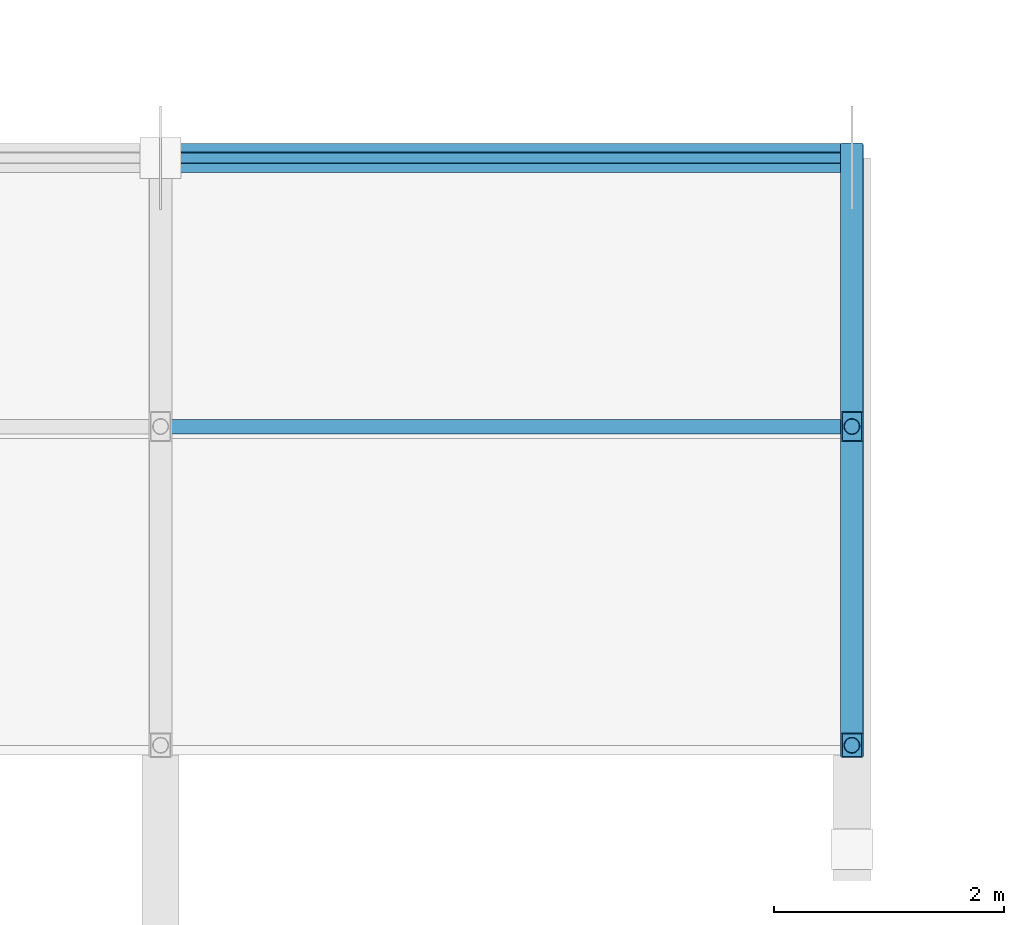
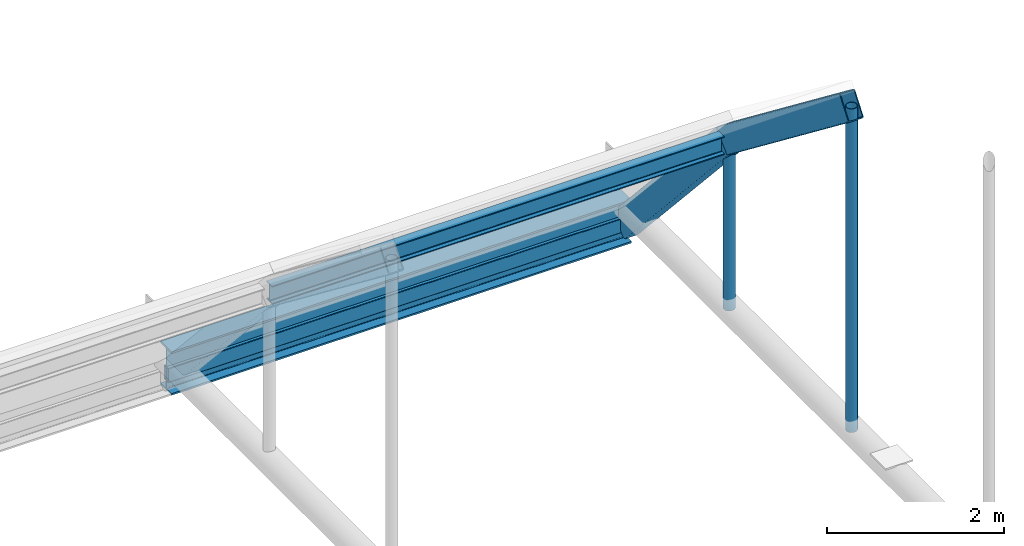
# One storey, part 61 of 116: 4 members, 3 beams.
"""IFC4 building model written with IfcOpenShell, lengths in metres."""

from ifc_helpers import new_model, si_unit, direction, frame, origin, origin_2d, place, context, subcontext, project, spatial, hollow_rectangle, hollow_circle, i_section, extrude, material, material_profile, profile_set, type_object, element, save


model = new_model("IFC4")

# Units and contexts
model_context = context("Model", 3, precision=1e-05, world=origin(), true_north=direction((0.0, 1.0)))
body_context = subcontext(model_context, "Body", "Model", "MODEL_VIEW")
ifc_project = project(units=[si_unit("LENGTHUNIT", "METRE"), si_unit("AREAUNIT", "SQUARE_METRE"), si_unit("VOLUMEUNIT", "CUBIC_METRE"), si_unit("PLANEANGLEUNIT", "RADIAN"), si_unit("MASSUNIT", "GRAM", prefix="KILO")], contexts=[model_context])

# Site, building, storey
site_placement = place(None, origin())
site = spatial("IfcSite", under=ifc_project, at=site_placement, CompositionType="ELEMENT")
building_placement = place(site_placement, origin())
building = spatial("IfcBuilding", under=site, at=building_placement, Name="Varnakota Square Police Headquarters", CompositionType="ELEMENT")
storey_placement = place(building_placement, frame((0.0, 0.0, 9.300048828125)))
storey = spatial("IfcBuildingStorey", under=building, at=storey_placement, Name="L02", CompositionType="ELEMENT", Elevation=9.300048828125)

# Beams
ifc_material = material(Name="Steel IS 2062 Grade 350", Category="steel")
ifc_material_profile_1 = material_profile(ifc_material, i_section(OverallWidth=0.25, OverallDepth=0.60009765625, WebThickness=0.01171875, FlangeThickness=0.023681640625, FilletRadius=0.01708984375, at=origin_2d()), Name="ISWB 600")
ifc_profile_set_1 = profile_set([ifc_material_profile_1], Name="Steel IS 2062 Grade 350")
beam_type_1 = type_object("IfcBeamType", Name="BM-ISWB600", PredefinedType="BEAM", material=ifc_profile_set_1)
beam_1_placement = place(storey_placement, frame((90.0, 39.0, -0.300048828125), z_axis=(1.0, 0.0, 0.0), x_axis=(0.0, 1.0, 0.0)))
element("IfcBeam", 1, at=beam_1_placement, inside=storey, type_object=beam_type_1, Name="Vault V1 north ring beam", PredefinedType="BEAM", context=body_context, shape_type="SweptSolid", body=[
    extrude(i_section(OverallWidth=0.25, OverallDepth=0.60009765625, WebThickness=0.01171875, FlangeThickness=0.023681640625, FilletRadius=0.01708984375, at=origin_2d()), origin(), (0.0, 0.0, 1.0), 6.0),
])
ifc_material_profile_2 = material_profile(ifc_material, hollow_rectangle(XDim=0.199951171875, YDim=0.35009765625, WallThickness=0.011962890625, InnerFilletRadius=0.011962890625, OuterFilletRadius=0.02392578125, at=origin_2d()), Name="RHS 350x200x12")
ifc_profile_set_2 = profile_set([ifc_material_profile_2], Name="Steel IS 2062 Grade 350")
beam_type_2 = type_object("IfcBeamType", Name="BM-VR-RHS350", PredefinedType="BEAM", material=ifc_profile_set_2)
beam_2_placement = place(storey_placement, frame((96.0, 33.902099609375, 4.313232421875), z_axis=(0.0, 0.792062306817, -0.610440252703), x_axis=(-1.0, 0.0, 0.0)))
element("IfcBeam", 2, at=beam_2_placement, inside=storey, type_object=beam_type_2, Name="Barrel vault arch rib chord VR-V1-R08-S09", PredefinedType="BEAM", context=body_context, shape_type="SweptSolid", body=[
    extrude(hollow_rectangle(XDim=0.199951171875, YDim=0.35009765625, WallThickness=0.011962890625, InnerFilletRadius=0.011962890625, OuterFilletRadius=0.02392578125, at=origin_2d()), origin(), (0.0, 0.0, 1.0), 3.4921875),
])
beam_3_placement = place(storey_placement, frame((96.0, 36.668212890625, 2.181396484375), z_axis=(0.0, 0.671520631111, -0.740985858159), x_axis=(-1.0, 0.0, 0.0)))
element("IfcBeam", 3, at=beam_3_placement, inside=storey, type_object=beam_type_2, Name="Barrel vault arch rib chord VR-V1-R08-S10", PredefinedType="BEAM", context=body_context, shape_type="SweptSolid", body=[
    extrude(hollow_rectangle(XDim=0.199951171875, YDim=0.35009765625, WallThickness=0.011962890625, InnerFilletRadius=0.011962890625, OuterFilletRadius=0.02392578125, at=origin_2d()), origin(), (0.0, 0.0, 1.0), 3.472412109375),
])

# Members
ifc_material_profile_3 = material_profile(ifc_material, hollow_circle(Radius=0.06982421875, WallThickness=0.006103515625, at=origin_2d()), Name="CHS 139.7x6.0")
ifc_profile_set_3 = profile_set([ifc_material_profile_3], Name="Steel IS 2062 Grade 350")
member_type_1 = type_object("IfcMemberType", Name="MEM-HNG-CHS139", PredefinedType="STRUT", material=ifc_profile_set_3)
member_1_placement = place(storey_placement, frame((96.0, 33.902099609375, -0.150146484375), z_axis=(0.0, 0.0, 1.0), x_axis=(1.0, 0.0, 0.0)))
element("IfcMember", 4, at=member_1_placement, inside=storey, type_object=member_type_1, Name="Barrel vault hanger strut V1-R08-N8", PredefinedType="STRUT", context=body_context, shape_type="SweptSolid", body=[
    extrude(hollow_circle(Radius=0.06982421875, WallThickness=0.006103515625, at=origin_2d()), origin(), (0.0, 0.0, 1.0), 4.46337890625),
])
member_2_placement = place(storey_placement, frame((96.0, 36.668212890625, -0.150146484375), z_axis=(0.0, 0.0, 1.0), x_axis=(1.0, 0.0, 0.0)))
element("IfcMember", 5, at=member_2_placement, inside=storey, type_object=member_type_1, Name="Barrel vault hanger strut V1-R08-N9", PredefinedType="STRUT", context=body_context, shape_type="SweptSolid", body=[
    extrude(hollow_circle(Radius=0.06982421875, WallThickness=0.006103515625, at=origin_2d()), origin(), (0.0, 0.0, 1.0), 2.33154296875),
])
ifc_material_profile_4 = material_profile(ifc_material, i_section(OverallWidth=0.125, OverallDepth=0.25, WebThickness=0.0068359375, FlangeThickness=0.012451171875, FilletRadius=0.012939453125, at=origin_2d()), Name="ISMB 250")
ifc_profile_set_4 = profile_set([ifc_material_profile_4], Name="Steel IS 2062 Grade 350")
member_type_2 = type_object("IfcMemberType", Name="MEM-PUR-ISMB250", PredefinedType="PURLIN", material=ifc_profile_set_4)
member_3_placement = place(storey_placement, frame((90.0, 36.668212890625, 2.156494140625), z_axis=(1.0, 0.0, 0.0), x_axis=(0.0, 1.0, 0.0)))
element("IfcMember", 6, at=member_3_placement, inside=storey, type_object=member_type_2, Name="Vault roof purlin V1-B07-N09", PredefinedType="PURLIN", context=body_context, shape_type="SweptSolid", body=[
    extrude(i_section(OverallWidth=0.125, OverallDepth=0.25, WebThickness=0.0068359375, FlangeThickness=0.012451171875, FilletRadius=0.012939453125, at=origin_2d()), origin(), (0.0, 0.0, 1.0), 6.0),
])
ifc_material_profile_5 = material_profile(ifc_material, hollow_rectangle(XDim=0.10009765625, YDim=0.199951171875, WallThickness=0.008056640625, InnerFilletRadius=0.008056640625, OuterFilletRadius=0.01611328125, at=origin_2d()), Name="RHS 200x100x8")
ifc_profile_set_5 = profile_set([ifc_material_profile_5], Name="Steel IS 2062 Grade 350")
member_type_3 = type_object("IfcMemberType", Name="MEM-PUR-RHS200", PredefinedType="PURLIN", material=ifc_profile_set_5)
member_4_placement = place(storey_placement, frame((90.0, 39.0, -0.377685546875), z_axis=(1.0, 0.0, 0.0), x_axis=(0.0, 1.0, 0.0)))
element("IfcMember", 7, at=member_4_placement, inside=storey, type_object=member_type_3, Name="Vault roof purlin V1-B07-N10", PredefinedType="PURLIN", context=body_context, shape_type="SweptSolid", body=[
    extrude(hollow_rectangle(XDim=0.10009765625, YDim=0.199951171875, WallThickness=0.008056640625, InnerFilletRadius=0.008056640625, OuterFilletRadius=0.01611328125, at=origin_2d()), origin(), (0.0, 0.0, 1.0), 6.0),
])

save(model, "model.ifc")
